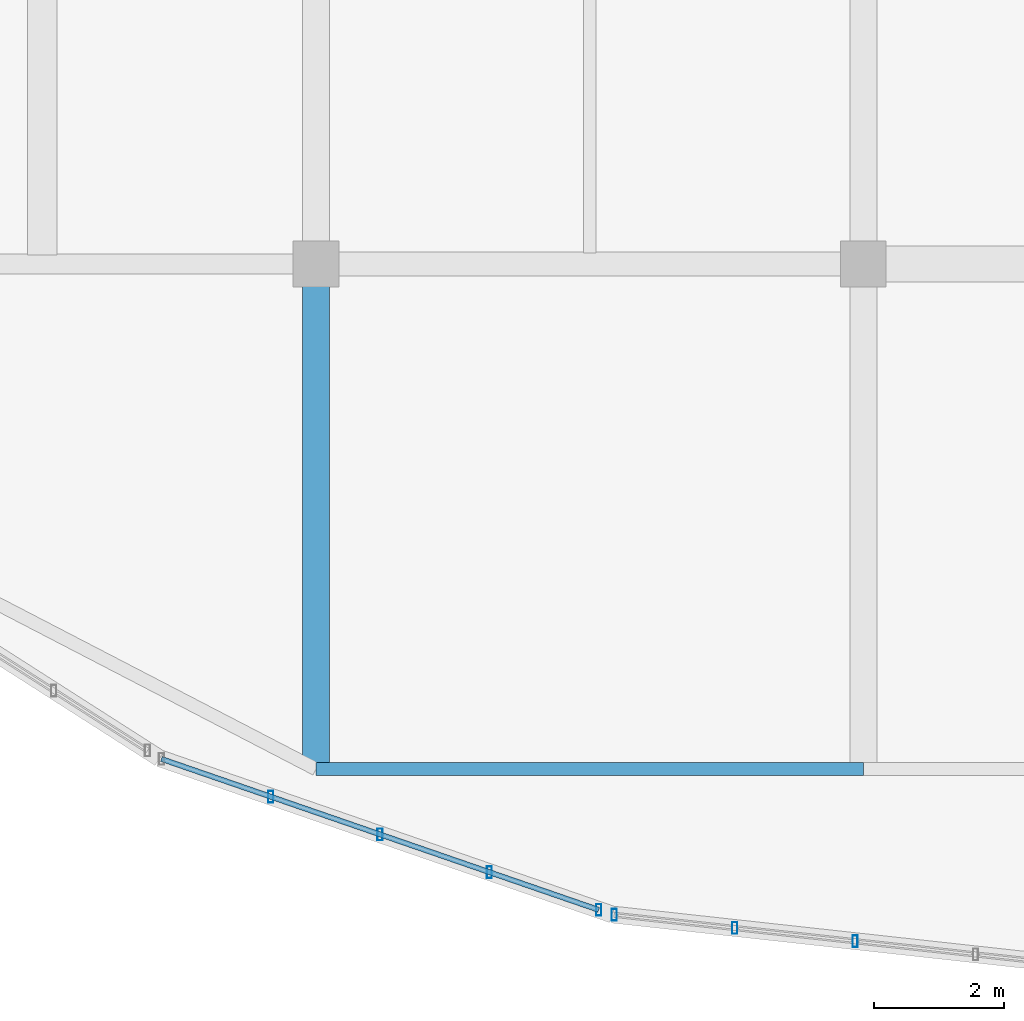
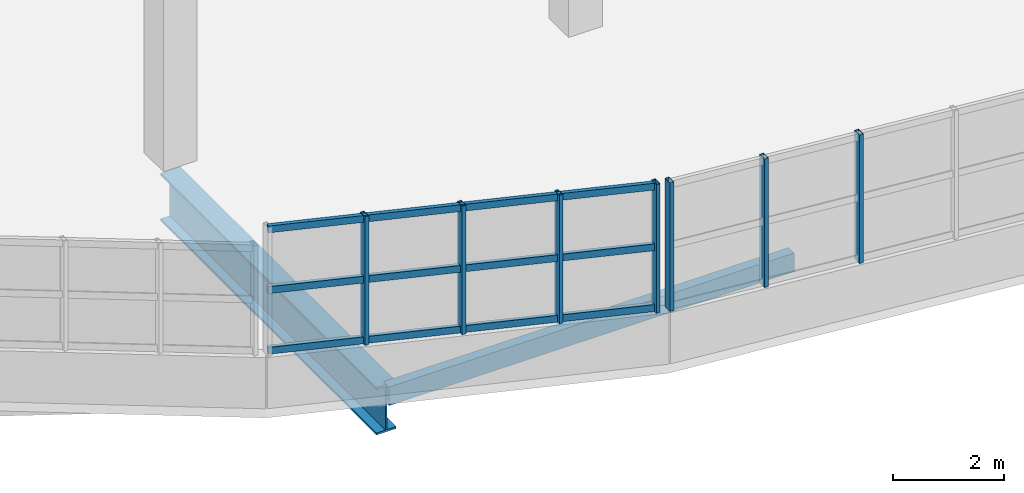
# One storey, part 6 of 52: 10 members, 2 beams, 2 elements without a shape of their own.
"""IFC4 building model written with IfcOpenShell, lengths in metres."""

from ifc_helpers import new_model, si_unit, direction, frame, origin, origin_2d, place, context, subcontext, project, spatial, hollow_rectangle, i_section, extrude, material, material_profile, profile_set, type_object, element, aggregate, save


model = new_model("IFC4")

# Units and contexts
model_context = context("Model", 3, precision=1e-05, world=origin(), true_north=direction((0.0, 1.0)))
body_context = subcontext(model_context, "Body", "Model", "MODEL_VIEW")
ifc_project = project(units=[si_unit("LENGTHUNIT", "METRE"), si_unit("AREAUNIT", "SQUARE_METRE"), si_unit("VOLUMEUNIT", "CUBIC_METRE"), si_unit("PLANEANGLEUNIT", "RADIAN"), si_unit("MASSUNIT", "GRAM", prefix="KILO")], contexts=[model_context])

# Site, building, storey
site_placement = place(None, origin())
site = spatial("IfcSite", under=ifc_project, at=site_placement, CompositionType="ELEMENT")
building_placement = place(site_placement, origin())
building = spatial("IfcBuilding", under=site, at=building_placement, Name="Solvento Point Concert Hall", CompositionType="ELEMENT")
storey_placement = place(building_placement, frame((0.0, 0.0, 19.5)))
storey = spatial("IfcBuildingStorey", under=building, at=storey_placement, Name="L04", CompositionType="ELEMENT", Elevation=19.5)

# Beam
ifc_material_1 = material(Name="Structural Steel ASTM A992 Grade 50", Category="steel")
ifc_material_profile_1 = material_profile(ifc_material_1, i_section(OverallWidth=0.408935546875, OverallDepth=1.041015625, WebThickness=0.031005859375, FlangeThickness=0.04443359375, at=origin_2d()), Name="W40X397")
ifc_profile_set_1 = profile_set([ifc_material_profile_1], Name="Structural Steel ASTM A992 Grade 50")
beam_type_1 = type_object("IfcBeamType", Name="CantileverGirder_W40X397", PredefinedType="USERDEFINED", material=ifc_profile_set_1)
beam_1_placement = place(storey_placement, frame((49.199951171875, 17.0, -0.8154296875), z_axis=(0.0, -1.0, 0.0), x_axis=(1.0, 0.0, 0.0)))
element("IfcBeam", 1, at=beam_1_placement, inside=storey, type_object=beam_type_1, Name="Radial cantilever girder CG-01 L04", ObjectType="GIRDER", PredefinedType="USERDEFINED", context=body_context, shape_type="SweptSolid", body=[
    extrude(i_section(OverallWidth=0.408935546875, OverallDepth=1.041015625, WebThickness=0.031005859375, FlangeThickness=0.04443359375, at=origin_2d()), origin(), (0.0, 0.0, 1.0), 7.75),
])

# Curtain wall, members
ifc_material_2 = material(Name="Anodized Bronze Aluminium", Category="aluminium")
curtain_wall_type = type_object("IfcCurtainWallType", Name="CurtainWall_RingRibbon_L03_04", PredefinedType="USERDEFINED", material=ifc_material_2)
curtain_wall_1_placement = place(storey_placement, origin())
curtain_wall_1 = element("IfcCurtainWall", 2, at=curtain_wall_1_placement, inside=storey, type_object=curtain_wall_type, Name="Unitised curtain wall CW-31 UCW-L04-209", ObjectType="UNITISED CURTAIN WALL", PredefinedType="USERDEFINED")
ifc_material_3 = material(Name="Anodized Bronze Aluminium", Category="aluminium")
ifc_material_profile_2 = material_profile(ifc_material_3, hollow_rectangle(XDim=0.080078125, YDim=0.179931640625, WallThickness=0.00390625, at=origin_2d()), Name="CW-MUL-80X180")
ifc_profile_set_2 = profile_set([ifc_material_profile_2], Name="Anodized Bronze Aluminium")
member_type_1 = type_object("IfcMemberType", Name="Mullion_80x180", PredefinedType="MULLION", material=ifc_profile_set_2)
member_1_placement = place(storey_placement, frame((57.472900390625, 6.60888671875, 1.1201171875), z_axis=(0.0, 0.0, 1.0), x_axis=(1.0, 0.0, 0.0)))
member_1 = element("IfcMember", 3, at=member_1_placement, type_object=member_type_1, Name="Curtain wall mullion ML-01", PredefinedType="MULLION", context=body_context, shape_type="SweptSolid", body=[
    extrude(hollow_rectangle(XDim=0.080078125, YDim=0.179931640625, WallThickness=0.00390625, at=origin_2d()), origin(), (0.0, 0.0, 1.0), 2.81982421875),
])
member_2_placement = place(storey_placement, frame((55.62451171875, 6.811767578125, 1.1201171875), z_axis=(0.0, 0.0, 1.0), x_axis=(1.0, 0.0, 0.0)))
member_2 = element("IfcMember", 4, at=member_2_placement, type_object=member_type_1, Name="Curtain wall mullion ML-01", PredefinedType="MULLION", context=body_context, shape_type="SweptSolid", body=[
    extrude(hollow_rectangle(XDim=0.080078125, YDim=0.179931640625, WallThickness=0.00390625, at=origin_2d()), origin(), (0.0, 0.0, 1.0), 2.81982421875),
])
member_3_placement = place(storey_placement, frame((53.77587890625, 7.014404296875, 1.1201171875), z_axis=(0.0, 0.0, 1.0), x_axis=(1.0, 0.0, 0.0)))
member_3 = element("IfcMember", 5, at=member_3_placement, type_object=member_type_1, Name="Curtain wall mullion ML-01", PredefinedType="MULLION", context=body_context, shape_type="SweptSolid", body=[
    extrude(hollow_rectangle(XDim=0.080078125, YDim=0.179931640625, WallThickness=0.00390625, at=origin_2d()), origin(), (0.0, 0.0, 1.0), 2.81982421875),
])
aggregate(curtain_wall_1, [member_1, member_2, member_3])

curtain_wall_2_placement = place(storey_placement, origin())
curtain_wall_2 = element("IfcCurtainWall", 6, at=curtain_wall_2_placement, inside=storey, type_object=curtain_wall_type, Name="Unitised curtain wall CW-31 UCW-L04-210", ObjectType="UNITISED CURTAIN WALL", PredefinedType="USERDEFINED")
member_4_placement = place(storey_placement, frame((53.5380859375, 7.089599609375, 1.1201171875), z_axis=(0.0, 0.0, 1.0), x_axis=(1.0, 0.0, 0.0)))
member_4 = element("IfcMember", 7, at=member_4_placement, type_object=member_type_1, Name="Curtain wall mullion ML-01", PredefinedType="MULLION", context=body_context, shape_type="SweptSolid", body=[
    extrude(hollow_rectangle(XDim=0.080078125, YDim=0.179931640625, WallThickness=0.00390625, at=origin_2d()), origin(), (0.0, 0.0, 1.0), 2.81982421875),
])
member_5_placement = place(storey_placement, frame((51.860595703125, 7.668701171875, 1.1201171875), z_axis=(0.0, 0.0, 1.0), x_axis=(1.0, 0.0, 0.0)))
member_5 = element("IfcMember", 8, at=member_5_placement, type_object=member_type_1, Name="Curtain wall mullion ML-01", PredefinedType="MULLION", context=body_context, shape_type="SweptSolid", body=[
    extrude(hollow_rectangle(XDim=0.080078125, YDim=0.179931640625, WallThickness=0.00390625, at=origin_2d()), origin(), (0.0, 0.0, 1.0), 2.81982421875),
])
member_6_placement = place(storey_placement, frame((50.18310546875, 8.24755859375, 1.1201171875), z_axis=(0.0, 0.0, 1.0), x_axis=(1.0, 0.0, 0.0)))
member_6 = element("IfcMember", 9, at=member_6_placement, type_object=member_type_1, Name="Curtain wall mullion ML-01", PredefinedType="MULLION", context=body_context, shape_type="SweptSolid", body=[
    extrude(hollow_rectangle(XDim=0.080078125, YDim=0.179931640625, WallThickness=0.00390625, at=origin_2d()), origin(), (0.0, 0.0, 1.0), 2.81982421875),
])
member_7_placement = place(storey_placement, frame((48.505859375, 8.82666015625, 1.1201171875), z_axis=(0.0, 0.0, 1.0), x_axis=(1.0, 0.0, 0.0)))
member_7 = element("IfcMember", 10, at=member_7_placement, type_object=member_type_1, Name="Curtain wall mullion ML-01", PredefinedType="MULLION", context=body_context, shape_type="SweptSolid", body=[
    extrude(hollow_rectangle(XDim=0.080078125, YDim=0.179931640625, WallThickness=0.00390625, at=origin_2d()), origin(), (0.0, 0.0, 1.0), 2.81982421875),
])

# Beam
ifc_material_4 = material(Name="Structural Steel ASTM A500 Grade C", Category="steel")
ifc_material_profile_3 = material_profile(ifc_material_4, hollow_rectangle(XDim=0.203125, YDim=0.406494140625, WallThickness=0.01171875, at=origin_2d()), Name="HSS16X8X1/2")
ifc_profile_set_3 = profile_set([ifc_material_profile_3], Name="Structural Steel ASTM A500 Grade C")
beam_type_2 = type_object("IfcBeamType", Name="RingBeam_HSS16X8", PredefinedType="SPANDREL", material=ifc_profile_set_3)
beam_2_placement = place(storey_placement, frame((49.199951171875, 9.25, -0.497314453125), z_axis=(1.0, 0.0, 0.0), x_axis=(0.0, 1.0, 0.0)))
element("IfcBeam", 11, at=beam_2_placement, inside=storey, type_object=beam_type_2, Name="Elliptical perimeter ring beam RB-01 L04", PredefinedType="SPANDREL", context=body_context, shape_type="SweptSolid", body=[
    extrude(hollow_rectangle(XDim=0.203125, YDim=0.406494140625, WallThickness=0.01171875, at=origin_2d()), origin(), (0.0, 0.0, 1.0), 8.400146484375),
])

# Member
ifc_material_5 = material(Name="Anodized Bronze Aluminium", Category="aluminium")
ifc_material_profile_4 = material_profile(ifc_material_5, hollow_rectangle(XDim=0.080078125, YDim=0.14990234375, WallThickness=0.00390625, at=origin_2d()), Name="CW-TRN-80X150")
ifc_profile_set_4 = profile_set([ifc_material_profile_4], Name="Anodized Bronze Aluminium")
member_type_2 = type_object("IfcMemberType", Name="Transom_80x150", PredefinedType="USERDEFINED", material=ifc_profile_set_4)
member_8_placement = place(storey_placement, frame((53.5380859375, 7.089599609375, 1.199951171875), z_axis=(-0.945276444278, 0.326270507238, 0.0), x_axis=(-0.326270507238, -0.945276444278, 0.0)))
member_8 = element("IfcMember", 12, at=member_8_placement, type_object=member_type_2, Name="Curtain wall transom TR-01", ObjectType="TRANSOM", PredefinedType="USERDEFINED", context=body_context, shape_type="SweptSolid", body=[
    extrude(hollow_rectangle(XDim=0.080078125, YDim=0.14990234375, WallThickness=0.00390625, at=origin_2d()), origin(), (0.0, 0.0, 1.0), 7.09814453125),
])

member_9_placement = place(storey_placement, frame((53.5380859375, 7.089599609375, 2.530029296875), z_axis=(-0.945276444278, 0.326270507238, 0.0), x_axis=(-0.326270507238, -0.945276444278, 0.0)))
member_9 = element("IfcMember", 13, at=member_9_placement, type_object=member_type_2, Name="Curtain wall transom TR-01", ObjectType="TRANSOM", PredefinedType="USERDEFINED", context=body_context, shape_type="SweptSolid", body=[
    extrude(hollow_rectangle(XDim=0.080078125, YDim=0.14990234375, WallThickness=0.00390625, at=origin_2d()), origin(), (0.0, 0.0, 1.0), 7.09814453125),
])

member_10_placement = place(storey_placement, frame((53.5380859375, 7.089599609375, 3.860107421875), z_axis=(-0.945276444278, 0.326270507238, 0.0), x_axis=(-0.326270507238, -0.945276444278, 0.0)))
member_10 = element("IfcMember", 14, at=member_10_placement, type_object=member_type_2, Name="Curtain wall transom TR-01", ObjectType="TRANSOM", PredefinedType="USERDEFINED", context=body_context, shape_type="SweptSolid", body=[
    extrude(hollow_rectangle(XDim=0.080078125, YDim=0.14990234375, WallThickness=0.00390625, at=origin_2d()), origin(), (0.0, 0.0, 1.0), 7.09814453125),
])

aggregate(curtain_wall_2, [member_4, member_5, member_6, member_7, member_8, member_9, member_10])

save(model, "model.ifc")
